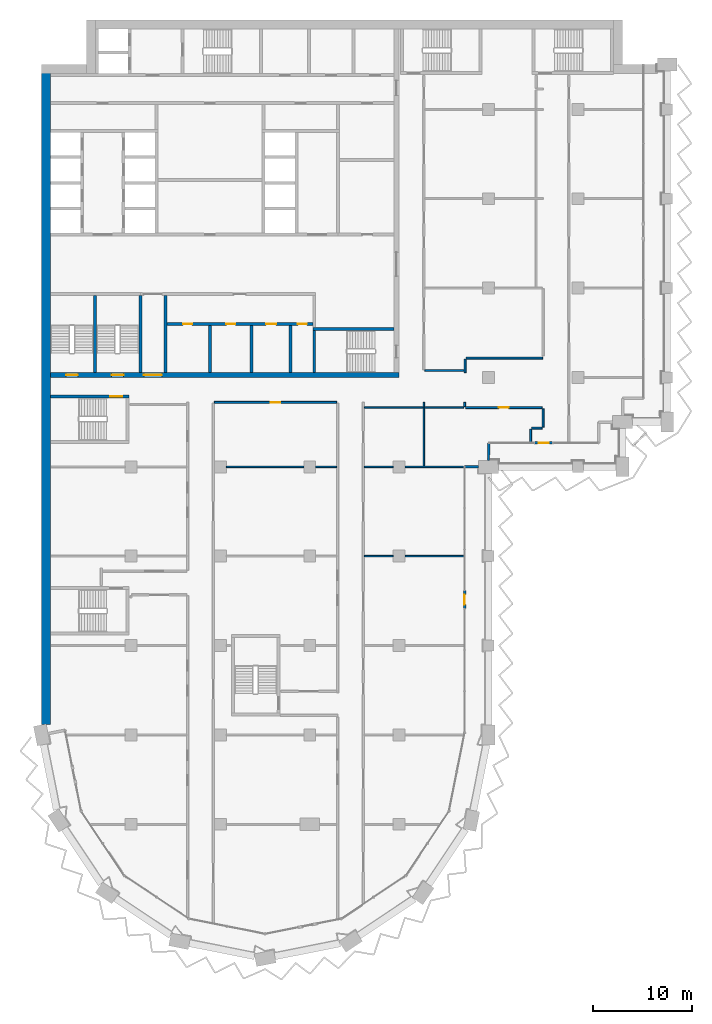
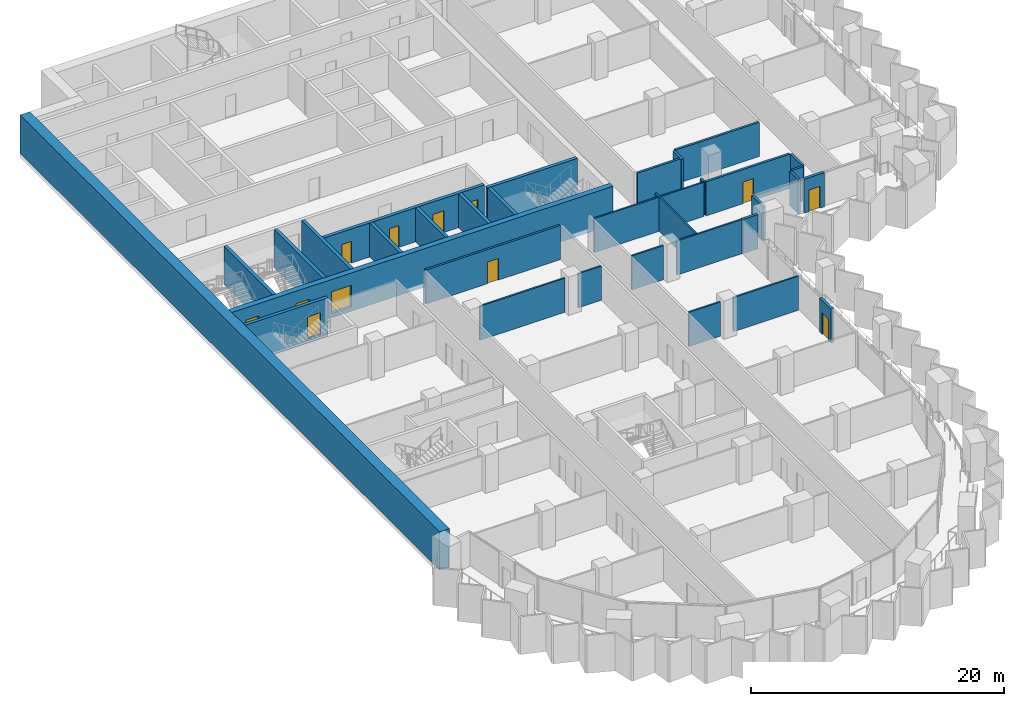
# One storey, part 11 of 22: 34 walls, 12 doors, 12 openings.
"""IFC4 building model written with IfcOpenShell, lengths in metres."""

import ifcopenshell
import ifcopenshell.guid

model = None  # the IFC model being written
_history = None  # IfcOwnerHistory: only IFC2X3 demands one
_inside = {}  # id of a spatial element -> (the spatial element, [elements in it])
_under = {}  # id of a project, library or spatial element -> (it, [spatial elements below it])
_declared = {}  # id of a project -> (the project, [libraries it declares])
_typed = {}  # id of a type object -> (the type object, [elements of that type])
_made_of = {}  # id of a material, layer set ... -> (it, [elements and type objects made of it])


def new_model(schema):
    """Start an empty IFC model of exactly this schema.

    Asked for "IFC4X3", IfcOpenShell would pick the latest addendum, in which some entities
    have other attributes; the version numbers below select the first issue.
    IFC2X3 requires an IfcOwnerHistory on every rooted entity: one is made here for all.
    """
    global model, _history
    if schema == "IFC4X3":
        model = ifcopenshell.file(schema_version=(4, 3, 0, 0))
    else:
        model = ifcopenshell.file(schema=schema)
    _inside.clear()
    _under.clear()
    _declared.clear()
    _typed.clear()
    _made_of.clear()
    _history = None
    if model.schema == "IFC2X3":
        org = make("IfcOrganization", Name="unknown")
        user = make(
            "IfcPersonAndOrganization",
            ThePerson=make("IfcPerson", FamilyName="unknown"),
            TheOrganization=org,
        )
        app = make(
            "IfcApplication",
            ApplicationDeveloper=org,
            Version="unknown",
            ApplicationFullName="unknown",
            ApplicationIdentifier="unknown",
        )
        _history = make(
            "IfcOwnerHistory",
            OwningUser=user,
            OwningApplication=app,
            ChangeAction="ADDED",
            CreationDate=0,
        )
    return model


def make(cls, **values):
    """One entity of the class cls with the attributes given. An attribute that is None is left unset."""
    return model.create_entity(
        cls, **{name: value for name, value in values.items() if value is not None}
    )


def rooted(cls, **values):
    """An entity with a GlobalId (a new one), such as an element, a storey or a relation."""
    return make(cls, GlobalId=ifcopenshell.guid.new(), OwnerHistory=_history, **values)


def si_unit(unit_type, name, prefix=None):
    """IfcSIUnit, for example si_unit("LENGTHUNIT", "METRE", prefix="MILLI")."""
    return make("IfcSIUnit", UnitType=unit_type, Prefix=prefix, Name=name)


def assignment(units):
    """IfcUnitAssignment: the units of a project."""
    return None if units is None else make("IfcUnitAssignment", Units=units)


def point(xyz):
    """IfcCartesianPoint."""
    return None if xyz is None else make("IfcCartesianPoint", Coordinates=xyz)


def direction(xyz):
    """IfcDirection."""
    return None if xyz is None else make("IfcDirection", DirectionRatios=xyz)


def frame(location, z_axis=None, x_axis=None):
    """IfcAxis2Placement3D, a coordinate frame: its origin and axes. An axis left out is left unset."""
    return make(
        "IfcAxis2Placement3D",
        Location=point(location),
        Axis=direction(z_axis),
        RefDirection=direction(x_axis),
    )


def frame_2d(location, x_axis=None):
    """IfcAxis2Placement2D, a coordinate frame in the plane: its origin and x axis."""
    return make(
        "IfcAxis2Placement2D", Location=point(location), RefDirection=direction(x_axis)
    )


def origin():
    """The frame at (0, 0, 0) with its axes left unset."""
    return frame((0.0, 0.0, 0.0))


def place(relative_to, where):
    """IfcLocalPlacement: puts the frame where relative to a parent placement (None: the world)."""
    return make(
        "IfcLocalPlacement", PlacementRelTo=relative_to, RelativePlacement=where
    )


def context(
    kind, dimensions, precision=None, world=None, true_north=None, identifier=None
):
    """IfcGeometricRepresentationContext, for example the 3D "Model" context."""
    return make(
        "IfcGeometricRepresentationContext",
        ContextIdentifier=identifier,
        ContextType=kind,
        CoordinateSpaceDimension=dimensions,
        Precision=precision,
        WorldCoordinateSystem=world,
        TrueNorth=true_north,
    )


def subcontext(parent, identifier, kind, view, scale=None):
    """IfcGeometricRepresentationSubContext, for example "Body" below "Model"."""
    return make(
        "IfcGeometricRepresentationSubContext",
        ContextIdentifier=identifier,
        ContextType=kind,
        ParentContext=parent,
        TargetScale=scale,
        TargetView=view,
    )


def project(units=None, contexts=None):
    """IfcProject with its units and contexts."""
    return rooted(
        "IfcProject",
        Name="project",
        RepresentationContexts=contexts,
        UnitsInContext=assignment(units),
    )


def spatial(cls, under=None, at=None, **own):
    """A site, building, storey or space (cls), placed at a placement, below another one or the project."""
    s = rooted(cls, ObjectPlacement=at, **own)
    if under is not None:
        _under.setdefault(under.id(), (under, []))[1].append(s)
    return s


def profile(cls, at=None, kind="AREA", **sizes):
    """A parametric profile (cls). Its sizes go by their IFC names, for example OverallWidth=200.0."""
    return make(cls, ProfileType=kind, Position=at, **sizes)


def rectangle(**sizes):
    """IfcRectangleProfileDef."""
    return profile("IfcRectangleProfileDef", **sizes)


def extrude(swept, where, along, depth):
    """IfcExtrudedAreaSolid: the profile swept, set in the frame where, extruded along a direction by depth."""
    return make(
        "IfcExtrudedAreaSolid",
        SweptArea=swept,
        Position=where,
        ExtrudedDirection=direction(along),
        Depth=depth,
    )


def shape(context_of_items, identifier, shape_type, items):
    """IfcShapeRepresentation: the items that make up one representation, for example the "Body"."""
    return make(
        "IfcShapeRepresentation",
        ContextOfItems=context_of_items,
        RepresentationIdentifier=identifier,
        RepresentationType=shape_type,
        Items=items,
    )


def material(Name=None, Category=None):
    """IfcMaterial."""
    return make("IfcMaterial", Name=Name, Category=Category)


def layer(
    of_material, thickness, ventilated=None, Name=None, Category=None, Priority=None
):
    """IfcMaterialLayer: one layer of a wall or slab, of a material (None: an air gap)."""
    return make(
        "IfcMaterialLayer",
        Material=of_material,
        LayerThickness=thickness,
        IsVentilated=ventilated,
        Name=Name,
        Category=Category,
        Priority=Priority,
    )


def layer_set(layers, Name=None):
    """IfcMaterialLayerSet."""
    return make("IfcMaterialLayerSet", MaterialLayers=layers, LayerSetName=Name)


def made_of(thing, what):
    """Note that an element or type object is made of a material, layer set ...; save() writes the relation."""
    if what is not None:
        _made_of.setdefault(what.id(), (what, []))[1].append(thing)
    return thing


def type_object(cls, material=None, **own):
    """A type object (cls), such as IfcWallType, which elements share."""
    return made_of(rooted(cls, **own), material)


def element(
    cls,
    number,
    at=None,
    inside=None,
    cuts=None,
    type_object=None,
    material=None,
    context=None,
    identifier="Body",
    shape_type=None,
    held_by="IfcProductDefinitionShape",
    body=None,
    shapes=None,
    **own,
):
    """One element of the class cls, such as IfcWall. Its Tag is "e" and its number.

    at: its placement. inside: the storey or other place that contains it. cuts: it is an
    opening in that element (IfcRelVoidsElement). A single representation is given by context,
    identifier, shape_type and body (its items); several are given by shapes. held_by: the class
    of the entity that holds the representations. save() writes the other relations.
    """
    e = rooted(cls, Tag="e%d" % number, ObjectPlacement=at, **own)
    if body is not None:
        shapes = [shape(context, identifier, shape_type, body)]
    if shapes is not None:
        e.Representation = make(held_by, Representations=shapes)
    if inside is not None:
        _inside.setdefault(inside.id(), (inside, []))[1].append(e)
    if cuts is not None:
        rooted(
            "IfcRelVoidsElement", RelatingBuildingElement=cuts, RelatedOpeningElement=e
        )
    if type_object is not None:
        _typed.setdefault(type_object.id(), (type_object, []))[1].append(e)
    return made_of(e, material)


def fill(opening, filler):
    """IfcRelFillsElement: the door or window that sits in an opening."""
    return rooted(
        "IfcRelFillsElement",
        RelatingOpeningElement=opening,
        RelatedBuildingElement=filler,
    )


def aggregate(whole, parts):
    """IfcRelAggregates: a whole, such as a stair, and the parts it consists of."""
    return rooted("IfcRelAggregates", RelatingObject=whole, RelatedObjects=parts)


def save(model, path):
    """Write the relations noted so far, then the file.

    IfcRelAggregates (storeys below a building ...), IfcRelContainedInSpatialStructure (elements
    in a storey), IfcRelDefinesByType, IfcRelAssociatesMaterial and IfcRelDeclares: one each for
    every whole, place, type object, material and project.
    """
    for whole, parts in _under.values():
        aggregate(whole, parts)
    for where, things in _inside.values():
        rooted(
            "IfcRelContainedInSpatialStructure",
            RelatedElements=things,
            RelatingStructure=where,
        )
    for kind, things in _typed.values():
        rooted("IfcRelDefinesByType", RelatedObjects=things, RelatingType=kind)
    for what, things in _made_of.values():
        rooted("IfcRelAssociatesMaterial", RelatedObjects=things, RelatingMaterial=what)
    for by, libraries in _declared.values():
        rooted("IfcRelDeclares", RelatingContext=by, RelatedDefinitions=libraries)
    model.write(path)


model = new_model("IFC4")

# Units and contexts
model_context = context("Model", 3, precision=1e-05, world=origin(), true_north=direction((0.0, 1.0)))
body_context = subcontext(model_context, "Body", "Model", "MODEL_VIEW")
ifc_project = project(units=[si_unit("LENGTHUNIT", "METRE"), si_unit("AREAUNIT", "SQUARE_METRE"), si_unit("VOLUMEUNIT", "CUBIC_METRE"), si_unit("PLANEANGLEUNIT", "RADIAN"), si_unit("MASSUNIT", "GRAM", prefix="KILO")], contexts=[model_context])

# Site, building, storey
site_placement = place(None, origin())
site = spatial("IfcSite", under=ifc_project, at=site_placement, CompositionType="ELEMENT")
building_placement = place(site_placement, origin())
building = spatial("IfcBuilding", under=site, at=building_placement, Name="Hunhe Ridgeline Campus", CompositionType="ELEMENT")
storey_placement = place(building_placement, frame((0.0, 0.0, 159.699951171875)))
storey = spatial("IfcBuildingStorey", under=building, at=storey_placement, Name="L40", CompositionType="ELEMENT", Elevation=159.699951171875)

# Wall, openings, doors
ifc_material_1 = material(Name="Masonry concrete blockwork", Category="masonry")
ifc_layer_1 = layer(ifc_material_1, 0.300048828125)
ifc_layer_set_1 = layer_set([ifc_layer_1], Name="Core room partition 300 concrete block")
wall_type_1 = type_object("IfcWallType", Name="Core room partition 300 concrete block", PredefinedType="PARTITIONING", material=ifc_layer_set_1)
wall_1_placement = place(storey_placement, frame((12.60009765625, 68.39990234375, 0.0), z_axis=(0.0, 0.0, 1.0), x_axis=(1.0, 0.0, 0.0)))
wall_1 = element("IfcWall", 1, at=wall_1_placement, inside=storey, type_object=wall_type_1, Name="L40 core partition 9", PredefinedType="PARTITIONING", context=body_context, shape_type="SweptSolid", body=[
    extrude(rectangle(XDim=14.699951171875, YDim=0.300048828125, at=frame_2d((7.35009765625, 0.0))), origin(), (0.0, 0.0, 1.0), 3.300048828125),
])
opening_1_placement = place(wall_1_placement, frame((1.64990234375, 0.0, 0.0)))
opening_1 = element("IfcOpeningElement", 2, at=opening_1_placement, cuts=wall_1, Name="Opening CD8", PredefinedType="OPENING", context=body_context, shape_type="SweptSolid", body=[
    extrude(rectangle(XDim=0.89990234375, YDim=2.10009765625, at=frame_2d((0.449951171875, 1.050048828125))), frame((0.0, 0.14990234375, 0.0), z_axis=(0.0, -1.0, 0.0), x_axis=(1.0, 0.0, 0.0)), (0.0, 0.0, 1.0), 0.300048828125),
])
opening_2_placement = place(wall_1_placement, frame((6.0, 0.0, 0.0)))
opening_2 = element("IfcOpeningElement", 3, at=opening_2_placement, cuts=wall_1, Name="Opening CD9", PredefinedType="OPENING", context=body_context, shape_type="SweptSolid", body=[
    extrude(rectangle(XDim=0.89990234375, YDim=2.10009765625, at=frame_2d((0.449951171875, 1.050048828125))), frame((0.0, 0.14990234375, 0.0), z_axis=(0.0, -1.0, 0.0), x_axis=(1.0, 0.0, 0.0)), (0.0, 0.0, 1.0), 0.300048828125),
])
opening_3_placement = place(wall_1_placement, frame((10.0, 0.0, 0.0)))
opening_3 = element("IfcOpeningElement", 4, at=opening_3_placement, cuts=wall_1, Name="Opening CD10", PredefinedType="OPENING", context=body_context, shape_type="SweptSolid", body=[
    extrude(rectangle(XDim=1.0, YDim=2.10009765625, at=frame_2d((0.5, 1.050048828125))), frame((0.0, 0.14990234375, 0.0), z_axis=(0.0, -1.0, 0.0), x_axis=(1.0, 0.0, 0.0)), (0.0, 0.0, 1.0), 0.300048828125),
])
opening_4_placement = place(wall_1_placement, frame((13.199951171875, 0.0, 0.0)))
opening_4 = element("IfcOpeningElement", 5, at=opening_4_placement, cuts=wall_1, Name="Opening CD11", PredefinedType="OPENING", context=body_context, shape_type="SweptSolid", body=[
    extrude(rectangle(XDim=0.89990234375, YDim=2.10009765625, at=frame_2d((0.449951171875, 1.050048828125))), frame((0.0, 0.14990234375, 0.0), z_axis=(0.0, -1.0, 0.0), x_axis=(1.0, 0.0, 0.0)), (0.0, 0.0, 1.0), 0.300048828125),
])
ifc_material_2 = material(Name="Solid core timber door leaf", Category="wood")
door_type_1 = type_object("IfcDoorType", Name="Timber door 1000x2100", OperationType="SINGLE_SWING_LEFT", PredefinedType="DOOR", material=ifc_material_2)
door_1_placement = place(opening_3_placement, frame((1.0, 0.0, 0.0), z_axis=(0.0, 0.0, 1.0), x_axis=(-1.0, 0.0, 0.0)))
door_1 = element("IfcDoor", 6, at=door_1_placement, inside=storey, type_object=door_type_1, Name="L40 door WC3", OperationType="SINGLE_SWING_RIGHT", OverallHeight=2.10009765625, OverallWidth=1.0, PredefinedType="DOOR", context=body_context, shape_type="SweptSolid", body=[
    extrude(rectangle(XDim=1.0, YDim=2.10009765625, at=frame_2d((0.5, 1.050048828125))), frame((0.0, 0.02490234375, 0.0), z_axis=(0.0, -1.0, 0.0), x_axis=(1.0, 0.0, 0.0)), (0.0, 0.0, 1.0), 0.050048828125),
])
fill(opening_3, door_1)
door_type_2 = type_object("IfcDoorType", Name="Timber door 900x2100", OperationType="SINGLE_SWING_LEFT", PredefinedType="DOOR", material=ifc_material_2)
door_2_placement = place(opening_1_placement, frame((0.89990234375, 0.0, 0.0), z_axis=(0.0, 0.0, 1.0), x_axis=(-1.0, 0.0, 0.0)))
door_2 = element("IfcDoor", 7, at=door_2_placement, inside=storey, type_object=door_type_2, Name="L40 door WC1", OperationType="SINGLE_SWING_RIGHT", OverallHeight=2.10009765625, OverallWidth=0.89990234375, PredefinedType="DOOR", context=body_context, shape_type="SweptSolid", body=[
    extrude(rectangle(XDim=0.89990234375, YDim=2.10009765625, at=frame_2d((0.449951171875, 1.050048828125))), frame((0.0, 0.02490234375, 0.0), z_axis=(0.0, -1.0, 0.0), x_axis=(1.0, 0.0, 0.0)), (0.0, 0.0, 1.0), 0.050048828125),
])
fill(opening_1, door_2)
door_3_placement = place(opening_2_placement, frame((0.89990234375, 0.0, 0.0), z_axis=(0.0, 0.0, 1.0), x_axis=(-1.0, 0.0, 0.0)))
door_3 = element("IfcDoor", 8, at=door_3_placement, inside=storey, type_object=door_type_2, Name="L40 door WC2", OperationType="SINGLE_SWING_LEFT", OverallHeight=2.10009765625, OverallWidth=0.89990234375, PredefinedType="DOOR", context=body_context, shape_type="SweptSolid", body=[
    extrude(rectangle(XDim=0.89990234375, YDim=2.10009765625, at=frame_2d((0.449951171875, 1.050048828125))), frame((0.0, 0.02490234375, 0.0), z_axis=(0.0, -1.0, 0.0), x_axis=(1.0, 0.0, 0.0)), (0.0, 0.0, 1.0), 0.050048828125),
])
fill(opening_2, door_3)
door_4_placement = place(opening_4_placement, frame((0.89990234375, 0.0, 0.0), z_axis=(0.0, 0.0, 1.0), x_axis=(-1.0, 0.0, 0.0)))
door_4 = element("IfcDoor", 9, at=door_4_placement, inside=storey, type_object=door_type_2, Name="L40 door WC4", OperationType="SINGLE_SWING_LEFT", OverallHeight=2.10009765625, OverallWidth=0.89990234375, PredefinedType="DOOR", context=body_context, shape_type="SweptSolid", body=[
    extrude(rectangle(XDim=0.89990234375, YDim=2.10009765625, at=frame_2d((0.449951171875, 1.050048828125))), frame((0.0, 0.02490234375, 0.0), z_axis=(0.0, -1.0, 0.0), x_axis=(1.0, 0.0, 0.0)), (0.0, 0.0, 1.0), 0.050048828125),
])
fill(opening_4, door_4)

# Walls
wall_2_placement = place(storey_placement, frame((12.449951171875, 63.5, 0.0), z_axis=(0.0, 0.0, 1.0), x_axis=(0.0, 1.0, 0.0)))
element("IfcWall", 10, at=wall_2_placement, inside=storey, type_object=wall_type_1, Name="L40 core partition 42", PredefinedType="PARTITIONING", context=body_context, shape_type="SweptSolid", body=[
    extrude(rectangle(XDim=7.75, YDim=0.300048828125, at=frame_2d((3.875, 0.0))), origin(), (0.0, 0.0, 1.0), 3.300048828125),
])
for number, where, z_axis, x_axis, name in (
    (11, (16.949951171875, 63.5, 0.0), (0.0, 0.0, 1.0), (0.0, 1.0, 0.0), "L40 core partition 44"),
    (12, (21.14990234375, 63.5, 0.0), (0.0, 0.0, 1.0), (0.0, 1.0, 0.0), "L40 core partition 46"),
    (13, (25.050048828125, 63.5, 0.0), (0.0, 0.0, 1.0), (0.0, 1.0, 0.0), "L40 core partition 51"),
):
    element("IfcWall", number, at=place(storey_placement, frame(where, z_axis=z_axis, x_axis=x_axis)), inside=storey, type_object=wall_type_1, Name=name, PredefinedType="PARTITIONING", context=body_context, shape_type="SweptSolid", body=[
        extrude(rectangle(XDim=4.75, YDim=0.300048828125, at=frame_2d((2.375, 0.0))), origin(), (0.0, 0.0, 1.0), 3.300048828125),
    ])

# Wall, openings, doors
ifc_material_3 = material(Name="Concrete C70", Category="concrete")
ifc_layer_2 = layer(ifc_material_3, 0.5)
ifc_layer_set_2 = layer_set([ifc_layer_2], Name="Core wall 500 reinforced concrete C70")
wall_type_2 = type_object("IfcWallType", Name="Core wall 500 reinforced concrete C70", PredefinedType="SOLIDWALL", material=ifc_layer_set_2)
wall_3_placement = place(storey_placement, frame((0.89990234375, 63.25, -0.39990234375), z_axis=(0.0, 0.0, 1.0), x_axis=(1.0, 0.0, 0.0)))
wall_3 = element("IfcWall", 14, at=wall_3_placement, inside=storey, type_object=wall_type_2, Name="L40 core wall 7", PredefinedType="SOLIDWALL", context=body_context, shape_type="SweptSolid", body=[
    extrude(rectangle(XDim=35.10009765625, YDim=0.5, at=frame_2d((17.550048828125, 0.0))), origin(), (0.0, 0.0, 1.0), 3.699951171875),
])
opening_5_placement = place(wall_3_placement, frame((9.39990234375, 0.0, 0.39990234375)))
opening_5 = element("IfcOpeningElement", 15, at=opening_5_placement, cuts=wall_3, Name="Opening CD6", PredefinedType="OPENING", context=body_context, shape_type="SweptSolid", body=[
    extrude(rectangle(XDim=1.800048828125, YDim=2.10009765625, at=frame_2d((0.89990234375, 1.050048828125))), frame((0.0, 0.25, 0.0), z_axis=(0.0, -1.0, 0.0), x_axis=(1.0, 0.0, 0.0)), (0.0, 0.0, 1.0), 0.5),
])
opening_6_placement = place(wall_3_placement, frame((1.550048828125, 0.0, 0.39990234375)))
opening_6 = element("IfcOpeningElement", 16, at=opening_6_placement, cuts=wall_3, Name="Opening CD13", PredefinedType="OPENING", context=body_context, shape_type="SweptSolid", body=[
    extrude(rectangle(XDim=1.199951171875, YDim=2.10009765625, at=frame_2d((0.60009765625, 1.050048828125))), frame((0.0, 0.25, 0.0), z_axis=(0.0, -1.0, 0.0), x_axis=(1.0, 0.0, 0.0)), (0.0, 0.0, 1.0), 0.5),
])
opening_7_placement = place(wall_3_placement, frame((6.14990234375, 0.0, 0.39990234375)))
opening_7 = element("IfcOpeningElement", 17, at=opening_7_placement, cuts=wall_3, Name="Opening CD14", PredefinedType="OPENING", context=body_context, shape_type="SweptSolid", body=[
    extrude(rectangle(XDim=1.199951171875, YDim=2.10009765625, at=frame_2d((0.60009765625, 1.050048828125))), frame((0.0, 0.25, 0.0), z_axis=(0.0, -1.0, 0.0), x_axis=(1.0, 0.0, 0.0)), (0.0, 0.0, 1.0), 0.5),
])
ifc_material_4 = material(Name="Anodised aluminium and glass", Category="aluminium")
door_type_3 = type_object("IfcDoorType", Name="Glazed double door 1800x2100", OperationType="DOUBLE_DOOR_SINGLE_SWING", PredefinedType="DOOR", material=ifc_material_4)
door_5_placement = place(opening_5_placement, frame((1.800048828125, 0.0, 0.0), z_axis=(0.0, 0.0, 1.0), x_axis=(-1.0, 0.0, 0.0)))
door_5 = element("IfcDoor", 18, at=door_5_placement, inside=storey, type_object=door_type_3, Name="L40 door VEST-FLOOR", OperationType="DOUBLE_DOOR_SINGLE_SWING", OverallHeight=2.10009765625, OverallWidth=1.800048828125, PredefinedType="DOOR", context=body_context, shape_type="SweptSolid", body=[
    extrude(rectangle(XDim=1.800048828125, YDim=2.10009765625, at=frame_2d((0.89990234375, 1.050048828125))), frame((0.0, 0.02490234375, 0.0), z_axis=(0.0, -1.0, 0.0), x_axis=(1.0, 0.0, 0.0)), (0.0, 0.0, 1.0), 0.050048828125),
])
fill(opening_5, door_5)
ifc_material_5 = material(Name="Hollow metal fire door leaf")
door_type_4 = type_object("IfcDoorType", Name="Stair door 1200x2100 FD60", OperationType="SINGLE_SWING_LEFT", PredefinedType="DOOR", material=ifc_material_5)
door_6_placement = place(opening_6_placement, frame((1.199951171875, 0.0, 0.0), z_axis=(0.0, 0.0, 1.0), x_axis=(-1.0, 0.0, 0.0)))
door_6 = element("IfcDoor", 19, at=door_6_placement, inside=storey, type_object=door_type_4, Name="L40 door S3", OperationType="SINGLE_SWING_RIGHT", OverallHeight=2.10009765625, OverallWidth=1.199951171875, PredefinedType="DOOR", context=body_context, shape_type="SweptSolid", body=[
    extrude(rectangle(XDim=1.199951171875, YDim=2.10009765625, at=frame_2d((0.60009765625, 1.050048828125))), frame((0.0, 0.02490234375, 0.0), z_axis=(0.0, -1.0, 0.0), x_axis=(1.0, 0.0, 0.0)), (0.0, 0.0, 1.0), 0.050048828125),
])
fill(opening_6, door_6)
door_7_placement = place(opening_7_placement, frame((1.199951171875, 0.0, 0.0), z_axis=(0.0, 0.0, 1.0), x_axis=(-1.0, 0.0, 0.0)))
door_7 = element("IfcDoor", 20, at=door_7_placement, inside=storey, type_object=door_type_4, Name="L40 door S4", OperationType="SINGLE_SWING_LEFT", OverallHeight=2.10009765625, OverallWidth=1.199951171875, PredefinedType="DOOR", context=body_context, shape_type="SweptSolid", body=[
    extrude(rectangle(XDim=1.199951171875, YDim=2.10009765625, at=frame_2d((0.60009765625, 1.050048828125))), frame((0.0, 0.02490234375, 0.0), z_axis=(0.0, -1.0, 0.0), x_axis=(1.0, 0.0, 0.0)), (0.0, 0.0, 1.0), 0.050048828125),
])
fill(opening_7, door_7)

# Walls
ifc_material_6 = material(Name="Concrete C30", Category="concrete")
ifc_layer_3 = layer(ifc_material_6, 0.25)
ifc_layer_set_3 = layer_set([ifc_layer_3], Name="Corner return wall 250 Concrete C30")
wall_type_3 = type_object("IfcWallType", Name="Corner return wall 250 Concrete C30", PredefinedType="SOLIDWALL", material=ifc_layer_set_3)
wall_4_placement = place(storey_placement, frame((42.59912109375, 54.00048828125, 0.0), z_axis=(0.0, 0.0, 1.0), x_axis=(0.999999984814, 0.000174276749, 0.0)))
element("IfcWall", 21, at=wall_4_placement, inside=storey, type_object=wall_type_3, Name="Corner return wall 2", PredefinedType="SOLIDWALL", context=body_context, shape_type="SweptSolid", body=[
    extrude(rectangle(XDim=1.40087890625, YDim=0.25, at=frame_2d((0.700439453125, 0.0))), origin(), (0.0, 0.0, 1.0), 3.300048828125),
])
wall_5_placement = place(storey_placement, frame((44.999267578125, 54.64990234375, 0.0), z_axis=(0.0, 0.0, 1.0), x_axis=(0.000278862231, 0.999999961118, 0.0)))
element("IfcWall", 22, at=wall_5_placement, inside=storey, type_object=wall_type_3, Name="Corner return wall 3", PredefinedType="SOLIDWALL", context=body_context, shape_type="SweptSolid", body=[
    extrude(rectangle(XDim=1.7509765625, YDim=0.25, at=frame_2d((0.87548828125, 0.0))), origin(), (0.0, 0.0, 1.0), 3.300048828125),
])
ifc_material_7 = material(Name="Gypsum board partition")
ifc_layer_4 = layer(ifc_material_7, 0.199951171875)
ifc_layer_set_4 = layer_set([ifc_layer_4], Name="Corridor partition 200 gypsum board on steel studs")
wall_type_4 = type_object("IfcWallType", Name="Corridor partition 200 gypsum board on steel studs", PredefinedType="PARTITIONING", material=ifc_layer_set_4)
wall_6_placement = place(storey_placement, frame((49.34912109375, 57.90087890625, 0.0), z_axis=(0.0, 0.0, 1.0), x_axis=(1.0, 0.0, 0.0)))
element("IfcWall", 23, at=wall_6_placement, inside=storey, type_object=wall_type_4, Name="F-L40-wall-036", PredefinedType="PARTITIONING", context=body_context, shape_type="SweptSolid", body=[
    extrude(rectangle(XDim=1.05078125, YDim=0.199951171875, at=frame_2d((0.525390625, 0.0))), origin(), (0.0, 0.0, 1.0), 3.300048828125),
])

# Wall, opening, door
wall_7_placement = place(storey_placement, frame((50.39990234375, 59.950927734375, 0.0), z_axis=(0.0, 0.0, 1.0), x_axis=(-1.0, 0.0, 0.0)))
wall_7 = element("IfcWall", 24, at=wall_7_placement, inside=storey, type_object=wall_type_4, Name="F-L40-wall-039", PredefinedType="PARTITIONING", context=body_context, shape_type="SweptSolid", body=[
    extrude(rectangle(XDim=7.699951171875, YDim=0.199951171875, at=frame_2d((3.85009765625, 0.0))), origin(), (0.0, 0.0, 1.0), 3.300048828125),
])
opening_8_placement = place(wall_7_placement, frame((3.35009765625, 0.0, 0.0)))
opening_8 = element("IfcOpeningElement", 25, at=opening_8_placement, cuts=wall_7, Name="Opening RD1-027", PredefinedType="OPENING", context=body_context, shape_type="SweptSolid", body=[
    extrude(rectangle(XDim=1.0, YDim=2.10009765625, at=frame_2d((0.5, 1.050048828125))), frame((0.0, 0.10009765625, 0.0), z_axis=(0.0, -1.0, 0.0), x_axis=(1.0, 0.0, 0.0)), (0.0, 0.0, 1.0), 0.199951171875),
])
ifc_material_8 = material(Name="Timber door leaf", Category="wood")
door_type_5 = type_object("IfcDoorType", Name="Single fire door 1000x2100 timber FD60", OperationType="NOTDEFINED", PredefinedType="DOOR", material=ifc_material_8)
door_8_placement = place(opening_8_placement, origin())
door_8 = element("IfcDoor", 26, at=door_8_placement, inside=storey, type_object=door_type_5, Name="F-L40-door-027", OperationType="SINGLE_SWING_LEFT", OverallHeight=2.10009765625, OverallWidth=1.0, PredefinedType="DOOR", context=body_context, shape_type="SweptSolid", body=[
    extrude(rectangle(XDim=1.0, YDim=2.10009765625, at=frame_2d((0.5, 1.050048828125))), frame((0.0, 0.02490234375, 0.0), z_axis=(0.0, -1.0, 0.0), x_axis=(1.0, 0.0, 0.0)), (0.0, 0.0, 1.0), 0.050048828125),
])
fill(opening_8, door_8)

wall_8_placement = place(storey_placement, frame((29.699951171875, 60.5, 0.0), z_axis=(0.0, 0.0, 1.0), x_axis=(-1.0, 0.0, 0.0)))
wall_8 = element("IfcWall", 27, at=wall_8_placement, inside=storey, type_object=wall_type_4, Name="F-L40-wall-041", PredefinedType="PARTITIONING", context=body_context, shape_type="SweptSolid", body=[
    extrude(rectangle(XDim=12.300048828125, YDim=0.199951171875, at=frame_2d((6.14990234375, 0.0))), origin(), (0.0, 0.0, 1.0), 3.300048828125),
])
opening_9_placement = place(wall_8_placement, frame((5.64990234375, 0.0, 0.0)))
opening_9 = element("IfcOpeningElement", 28, at=opening_9_placement, cuts=wall_8, Name="Opening RD1-028", PredefinedType="OPENING", context=body_context, shape_type="SweptSolid", body=[
    extrude(rectangle(XDim=1.0, YDim=2.10009765625, at=frame_2d((0.5, 1.050048828125))), frame((0.0, 0.10009765625, 0.0), z_axis=(0.0, -1.0, 0.0), x_axis=(1.0, 0.0, 0.0)), (0.0, 0.0, 1.0), 0.199951171875),
])
door_9_placement = place(opening_9_placement, origin())
door_9 = element("IfcDoor", 29, at=door_9_placement, inside=storey, type_object=door_type_5, Name="F-L40-door-028", OperationType="SINGLE_SWING_LEFT", OverallHeight=2.10009765625, OverallWidth=1.0, PredefinedType="DOOR", context=body_context, shape_type="SweptSolid", body=[
    extrude(rectangle(XDim=1.0, YDim=2.10009765625, at=frame_2d((0.5, 1.050048828125))), frame((0.0, 0.02490234375, 0.0), z_axis=(0.0, -1.0, 0.0), x_axis=(1.0, 0.0, 0.0)), (0.0, 0.0, 1.0), 0.050048828125),
])
fill(opening_9, door_9)

# Walls
wall_9_placement = place(storey_placement, frame((38.60009765625, 63.699951171875, 0.0), z_axis=(0.0, 0.0, 1.0), x_axis=(1.0, 0.0, 0.0)))
element("IfcWall", 30, at=wall_9_placement, inside=storey, type_object=wall_type_4, Name="F-L40-wall-043", PredefinedType="PARTITIONING", context=body_context, shape_type="SweptSolid", body=[
    extrude(rectangle(XDim=3.949951171875, YDim=0.199951171875, at=frame_2d((1.97509765625, 0.0))), origin(), (0.0, 0.0, 1.0), 3.300048828125),
])
wall_10_placement = place(storey_placement, frame((42.75, 64.949951171875, 0.0), z_axis=(0.0, 0.0, 1.0), x_axis=(1.0, 0.0, 0.0)))
element("IfcWall", 31, at=wall_10_placement, inside=storey, type_object=wall_type_4, Name="F-L40-wall-044", PredefinedType="PARTITIONING", context=body_context, shape_type="SweptSolid", body=[
    extrude(rectangle(XDim=7.699951171875, YDim=0.199951171875, at=frame_2d((3.85009765625, 0.0))), origin(), (0.0, 0.0, 1.0), 3.300048828125),
])
wall_11_placement = place(storey_placement, frame((42.60009765625, 60.051025390625, 0.0), z_axis=(0.0, 0.0, 1.0), x_axis=(0.0, 1.0, 0.0)))
element("IfcWall", 32, at=wall_11_placement, inside=storey, type_object=wall_type_4, Name="F-L40-wall-065", PredefinedType="PARTITIONING", context=body_context, shape_type="SweptSolid", body=[
    extrude(rectangle(XDim=0.448974609375, YDim=0.199951171875, at=frame_2d((0.224609375, 0.0))), origin(), (0.0, 0.0, 1.0), 3.300048828125),
])
wall_12_placement = place(storey_placement, frame((42.64990234375, 63.487548828125, 0.0), z_axis=(0.0, 0.0, 1.0), x_axis=(0.0, 1.0, 0.0)))
element("IfcWall", 33, at=wall_12_placement, inside=storey, type_object=wall_type_4, Name="F-L40-wall-066", PredefinedType="PARTITIONING", context=body_context, shape_type="SweptSolid", body=[
    extrude(rectangle(XDim=1.362548828125, YDim=0.199951171875, at=frame_2d((0.68115234375, 0.0))), origin(), (0.0, 0.0, 1.0), 3.300048828125),
])
wall_13_placement = place(storey_placement, frame((49.2490234375, 56.455078125, 0.0), z_axis=(0.0, 0.0, 1.0), x_axis=(0.0, 1.0, 0.0)))
element("IfcWall", 34, at=wall_13_placement, inside=storey, type_object=wall_type_4, Name="F-L40-wall-067", PredefinedType="PARTITIONING", context=body_context, shape_type="SweptSolid", body=[
    extrude(rectangle(XDim=1.345947265625, YDim=0.199951171875, at=frame_2d((0.6728515625, 0.0))), origin(), (0.0, 0.0, 1.0), 3.300048828125),
])
wall_14_placement = place(storey_placement, frame((50.5, 58.0009765625, 0.0), z_axis=(0.0, 0.0, 1.0), x_axis=(0.0, 1.0, 0.0)))
element("IfcWall", 35, at=wall_14_placement, inside=storey, type_object=wall_type_4, Name="F-L40-wall-072", PredefinedType="PARTITIONING", context=body_context, shape_type="SweptSolid", body=[
    extrude(rectangle(XDim=1.8447265625, YDim=0.199951171875, at=frame_2d((0.92236328125, 0.0))), origin(), (0.0, 0.0, 1.0), 3.300048828125),
])

# Wall, opening, door
ifc_layer_5 = layer(ifc_material_6, 0.25)
ifc_layer_set_5 = layer_set([ifc_layer_5], Name="Loggia door pier wall 250 Concrete C30")
wall_type_5 = type_object("IfcWallType", Name="Loggia door pier wall 250 Concrete C30", PredefinedType="SOLIDWALL", material=ifc_layer_set_5)
wall_15_placement = place(storey_placement, frame((42.59912109375, 39.718505859375, 0.0), z_axis=(0.0, 0.0, 1.0), x_axis=(0.0, 1.0, 0.0)))
wall_15 = element("IfcWall", 36, at=wall_15_placement, inside=storey, type_object=wall_type_5, Name="Loggia door pier 3", PredefinedType="SOLIDWALL", context=body_context, shape_type="SweptSolid", body=[
    extrude(rectangle(XDim=1.800048828125, YDim=0.25, at=frame_2d((0.89990234375, 0.0))), origin(), (0.0, 0.0, 1.0), 3.300048828125),
])
opening_10_placement = place(wall_15_placement, frame((0.39990234375, 0.0, 0.0)))
opening_10 = element("IfcOpeningElement", 37, at=opening_10_placement, cuts=wall_15, Name="Opening BD305", PredefinedType="OPENING", context=body_context, shape_type="SweptSolid", body=[
    extrude(rectangle(XDim=1.0, YDim=2.10009765625, at=frame_2d((0.5, 1.050048828125))), frame((0.0, 0.125, 0.0), z_axis=(0.0, -1.0, 0.0), x_axis=(1.0, 0.0, 0.0)), (0.0, 0.0, 1.0), 0.25),
])
ifc_material_9 = material(Name="Aluminium 6063", Category="aluminium")
door_type_6 = type_object("IfcDoorType", Name="Loggia glazed door 1000x2100", OperationType="NOTDEFINED", PredefinedType="DOOR", material=ifc_material_9)
door_10_placement = place(opening_10_placement, frame((1.0, 0.0, 0.0), z_axis=(0.0, 0.0, 1.0), x_axis=(-1.0, 0.0, 0.0)))
door_10 = element("IfcDoor", 38, at=door_10_placement, inside=storey, type_object=door_type_6, Name="Loggia door BD305", OperationType="SINGLE_SWING_RIGHT", OverallHeight=2.10009765625, OverallWidth=1.0, PredefinedType="DOOR", context=body_context, shape_type="SweptSolid", body=[
    extrude(rectangle(XDim=1.0, YDim=2.10009765625, at=frame_2d((0.5, 1.050048828125))), frame((0.0, 0.02490234375, 0.0), z_axis=(0.0, -1.0, 0.0), x_axis=(1.0, 0.0, 0.0)), (0.0, 0.0, 1.0), 0.050048828125),
])
fill(opening_10, door_10)

wall_16_placement = place(storey_placement, frame((49.6494140625, 56.40087890625, 0.0), z_axis=(0.0, 0.0, 1.0), x_axis=(1.0, 0.0, 0.0)))
wall_16 = element("IfcWall", 39, at=wall_16_placement, inside=storey, type_object=wall_type_5, Name="Loggia door pier 4", PredefinedType="SOLIDWALL", context=body_context, shape_type="SweptSolid", body=[
    extrude(rectangle(XDim=1.800048828125, YDim=0.25, at=frame_2d((0.89990234375, 0.0))), origin(), (0.0, 0.0, 1.0), 3.300048828125),
])
opening_11_placement = place(wall_16_placement, frame((0.39990234375, 0.0, 0.0)))
opening_11 = element("IfcOpeningElement", 40, at=opening_11_placement, cuts=wall_16, Name="Opening BD306", PredefinedType="OPENING", context=body_context, shape_type="SweptSolid", body=[
    extrude(rectangle(XDim=1.0, YDim=2.10009765625, at=frame_2d((0.5, 1.050048828125))), frame((0.0, 0.125, 0.0), z_axis=(0.0, -1.0, 0.0), x_axis=(1.0, 0.0, 0.0)), (0.0, 0.0, 1.0), 0.25),
])
door_11_placement = place(opening_11_placement, frame((1.0, 0.0, 0.0), z_axis=(0.0, 0.0, 1.0), x_axis=(-1.0, 0.0, 0.0)))
door_11 = element("IfcDoor", 41, at=door_11_placement, inside=storey, type_object=door_type_6, Name="Loggia door BD306", OperationType="SINGLE_SWING_LEFT", OverallHeight=2.10009765625, OverallWidth=1.0, PredefinedType="DOOR", context=body_context, shape_type="SweptSolid", body=[
    extrude(rectangle(XDim=1.0, YDim=2.10009765625, at=frame_2d((0.5, 1.050048828125))), frame((0.0, 0.02490234375, 0.0), z_axis=(0.0, -1.0, 0.0), x_axis=(1.0, 0.0, 0.0)), (0.0, 0.0, 1.0), 0.050048828125),
])
fill(opening_11, door_11)

# Walls
ifc_layer_6 = layer(ifc_material_7, 0.14990234375)
ifc_layer_set_6 = layer_set([ifc_layer_6], Name="Room partition 150 gypsum board on steel studs")
wall_type_6 = type_object("IfcWallType", Name="Room partition 150 gypsum board on steel studs", PredefinedType="PARTITIONING", material=ifc_layer_set_6)
wall_17_placement = place(storey_placement, frame((32.5, 45.0, 0.0), z_axis=(0.0, 0.0, 1.0), x_axis=(1.0, 0.0, 0.0)))
element("IfcWall", 42, at=wall_17_placement, inside=storey, type_object=wall_type_6, Name="F-L40-wall-028", PredefinedType="PARTITIONING", context=body_context, shape_type="SweptSolid", body=[
    extrude(rectangle(XDim=2.89990234375, YDim=0.14990234375, at=frame_2d((1.449951171875, 0.0))), origin(), (0.0, 0.0, 1.0), 3.300048828125),
])
wall_18_placement = place(storey_placement, frame((36.60009765625, 45.0, 0.0), z_axis=(0.0, 0.0, 1.0), x_axis=(1.0, 0.0, 0.0)))
element("IfcWall", 43, at=wall_18_placement, inside=storey, type_object=wall_type_6, Name="F-L40-wall-029", PredefinedType="PARTITIONING", context=body_context, shape_type="SweptSolid", body=[
    extrude(rectangle(XDim=5.945068359375, YDim=0.14990234375, at=frame_2d((2.97265625, 0.0))), origin(), (0.0, 0.0, 1.0), 3.300048828125),
])
wall_19_placement = place(storey_placement, frame((18.60009765625, 54.0, 0.0), z_axis=(0.0, 0.0, 1.0), x_axis=(1.0, 0.0, 0.0)))
element("IfcWall", 44, at=wall_19_placement, inside=storey, type_object=wall_type_6, Name="F-L40-wall-032", PredefinedType="PARTITIONING", context=body_context, shape_type="SweptSolid", body=[
    extrude(rectangle(XDim=7.7998046875, YDim=0.14990234375, at=frame_2d((3.89990234375, 0.0))), origin(), (0.0, 0.0, 1.0), 3.300048828125),
])
wall_20_placement = place(storey_placement, frame((27.60009765625, 54.0, 0.0), z_axis=(0.0, 0.0, 1.0), x_axis=(1.0, 0.0, 0.0)))
element("IfcWall", 45, at=wall_20_placement, inside=storey, type_object=wall_type_6, Name="F-L40-wall-033", PredefinedType="PARTITIONING", context=body_context, shape_type="SweptSolid", body=[
    extrude(rectangle(XDim=2.099853515625, YDim=0.14990234375, at=frame_2d((1.0498046875, 0.0))), origin(), (0.0, 0.0, 1.0), 3.300048828125),
])
wall_21_placement = place(storey_placement, frame((32.5, 54.0, 0.0), z_axis=(0.0, 0.0, 1.0), x_axis=(1.0, 0.0, 0.0)))
element("IfcWall", 46, at=wall_21_placement, inside=storey, type_object=wall_type_6, Name="F-L40-wall-034", PredefinedType="PARTITIONING", context=body_context, shape_type="SweptSolid", body=[
    extrude(rectangle(XDim=2.89990234375, YDim=0.14990234375, at=frame_2d((1.449951171875, 0.0))), origin(), (0.0, 0.0, 1.0), 3.300048828125),
])
wall_22_placement = place(storey_placement, frame((36.60009765625, 54.0, 0.0), z_axis=(0.0, 0.0, 1.0), x_axis=(1.0, 0.0, 0.0)))
element("IfcWall", 47, at=wall_22_placement, inside=storey, type_object=wall_type_6, Name="F-L40-wall-035", PredefinedType="PARTITIONING", context=body_context, shape_type="SweptSolid", body=[
    extrude(rectangle(XDim=5.945068359375, YDim=0.14990234375, at=frame_2d((2.97265625, 0.0))), origin(), (0.0, 0.0, 1.0), 3.300048828125),
])
wall_23_placement = place(storey_placement, frame((32.5, 59.950927734375, 0.0), z_axis=(0.0, 0.0, 1.0), x_axis=(1.0, 0.0, 0.0)))
element("IfcWall", 48, at=wall_23_placement, inside=storey, type_object=wall_type_6, Name="F-L40-wall-037", PredefinedType="PARTITIONING", context=body_context, shape_type="SweptSolid", body=[
    extrude(rectangle(XDim=5.925048828125, YDim=0.14990234375, at=frame_2d((2.96240234375, 0.0))), origin(), (0.0, 0.0, 1.0), 3.300048828125),
])
wall_24_placement = place(storey_placement, frame((38.574951171875, 59.950927734375, 0.0), z_axis=(0.0, 0.0, 1.0), x_axis=(1.0, 0.0, 0.0)))
element("IfcWall", 49, at=wall_24_placement, inside=storey, type_object=wall_type_6, Name="F-L40-wall-038", PredefinedType="PARTITIONING", context=body_context, shape_type="SweptSolid", body=[
    extrude(rectangle(XDim=3.925048828125, YDim=0.14990234375, at=frame_2d((1.96240234375, 0.0))), origin(), (0.0, 0.0, 1.0), 3.300048828125),
])
wall_25_placement = place(storey_placement, frame((38.5, 60.5, 0.0), z_axis=(0.0, 0.0, 1.0), x_axis=(0.0, -1.0, 0.0)))
element("IfcWall", 50, at=wall_25_placement, inside=storey, type_object=wall_type_6, Name="F-L40-wall-063", PredefinedType="PARTITIONING", context=body_context, shape_type="SweptSolid", body=[
    extrude(rectangle(XDim=6.425048828125, YDim=0.14990234375, at=frame_2d((3.21240234375, 0.0))), origin(), (0.0, 0.0, 1.0), 3.300048828125),
])
ifc_layer_7 = layer(ifc_material_3, 0.89990234375)
ifc_layer_set_7 = layer_set([ifc_layer_7], Name="Spine wall 900 Concrete C70")
wall_type_7 = type_object("IfcWallType", Name="Spine wall 900 Concrete C70", PredefinedType="SHEAR", material=ifc_layer_set_7)
wall_26_placement = place(storey_placement, frame((0.449951171875, 94.5, 0.0), z_axis=(0.0, 0.0, 1.0), x_axis=(0.0, -1.0, 0.0)))
element("IfcWall", 51, at=wall_26_placement, inside=storey, type_object=wall_type_7, Name="Spine wall SW2-1 L40", PredefinedType="SHEAR", context=body_context, shape_type="SweptSolid", body=[
    extrude(rectangle(XDim=66.430419921875, YDim=0.89990234375, at=frame_2d((33.21533203125, 0.0))), origin(), (0.0, 0.0, 1.0), 3.699951171875),
])

# Wall, opening, door
ifc_layer_8 = layer(ifc_material_3, 0.300048828125)
ifc_layer_set_8 = layer_set([ifc_layer_8], Name="Stair wall 300 reinforced concrete C70")
wall_type_8 = type_object("IfcWallType", Name="Stair wall 300 reinforced concrete C70", PredefinedType="SOLIDWALL", material=ifc_layer_set_8)
wall_27_placement = place(storey_placement, frame((0.89990234375, 61.10009765625, -0.39990234375), z_axis=(0.0, 0.0, 1.0), x_axis=(1.0, 0.0, 0.0)))
wall_27 = element("IfcWall", 52, at=wall_27_placement, inside=storey, type_object=wall_type_8, Name="L40 core wall 6", PredefinedType="SOLIDWALL", context=body_context, shape_type="SweptSolid", body=[
    extrude(rectangle(XDim=7.900146484375, YDim=0.300048828125, at=frame_2d((3.9501953125, 0.0))), origin(), (0.0, 0.0, 1.0), 3.699951171875),
])
opening_12_placement = place(wall_27_placement, frame((6.0, 0.0, 0.39990234375)))
opening_12 = element("IfcOpeningElement", 53, at=opening_12_placement, cuts=wall_27, Name="Opening CD22", PredefinedType="OPENING", context=body_context, shape_type="SweptSolid", body=[
    extrude(rectangle(XDim=1.199951171875, YDim=2.10009765625, at=frame_2d((0.60009765625, 1.050048828125))), frame((0.0, 0.14990234375, 0.0), z_axis=(0.0, -1.0, 0.0), x_axis=(1.0, 0.0, 0.0)), (0.0, 0.0, 1.0), 0.300048828125),
])
door_12_placement = place(opening_12_placement, origin())
door_12 = element("IfcDoor", 54, at=door_12_placement, inside=storey, type_object=door_type_4, Name="L40 door W2", OperationType="SINGLE_SWING_RIGHT", OverallHeight=2.10009765625, OverallWidth=1.199951171875, PredefinedType="DOOR", context=body_context, shape_type="SweptSolid", body=[
    extrude(rectangle(XDim=1.199951171875, YDim=2.10009765625, at=frame_2d((0.60009765625, 1.050048828125))), frame((0.0, 0.02490234375, 0.0), z_axis=(0.0, -1.0, 0.0), x_axis=(1.0, 0.0, 0.0)), (0.0, 0.0, 1.0), 0.050048828125),
])
fill(opening_12, door_12)

# Walls
wall_28_placement = place(storey_placement, frame((27.300048828125, 67.89990234375, -0.39990234375), z_axis=(0.0, 0.0, 1.0), x_axis=(1.0, 0.0, 0.0)))
element("IfcWall", 55, at=wall_28_placement, inside=storey, type_object=wall_type_8, Name="L40 core wall 8", PredefinedType="SOLIDWALL", context=body_context, shape_type="SweptSolid", body=[
    extrude(rectangle(XDim=8.199951171875, YDim=0.300048828125, at=frame_2d((4.10009765625, 0.0))), origin(), (0.0, 0.0, 1.0), 3.699951171875),
])
for number, where, z_axis, x_axis, name in (
    (56, (5.35009765625, 63.5, -0.39990234375), (0.0, 0.0, 1.0), (0.0, 1.0, 0.0), "L40 core wall 33"),
    (57, (9.949951171875, 63.5, -0.39990234375), (0.0, 0.0, 1.0), (0.0, 1.0, 0.0), "L40 core wall 39"),
):
    element("IfcWall", number, at=place(storey_placement, frame(where, z_axis=z_axis, x_axis=x_axis)), inside=storey, type_object=wall_type_8, Name=name, PredefinedType="SOLIDWALL", context=body_context, shape_type="SweptSolid", body=[
        extrude(rectangle(XDim=7.75, YDim=0.300048828125, at=frame_2d((3.875, 0.0))), origin(), (0.0, 0.0, 1.0), 3.699951171875),
    ])
wall_29_placement = place(storey_placement, frame((27.449951171875, 63.5, -0.39990234375), z_axis=(0.0, 0.0, 1.0), x_axis=(0.0, 1.0, 0.0)))
element("IfcWall", 58, at=wall_29_placement, inside=storey, type_object=wall_type_8, Name="L40 core wall 54", PredefinedType="SOLIDWALL", context=body_context, shape_type="SweptSolid", body=[
    extrude(rectangle(XDim=4.25, YDim=0.300048828125, at=frame_2d((2.125, 0.0))), origin(), (0.0, 0.0, 1.0), 3.699951171875),
])

save(model, "model.ifc")
